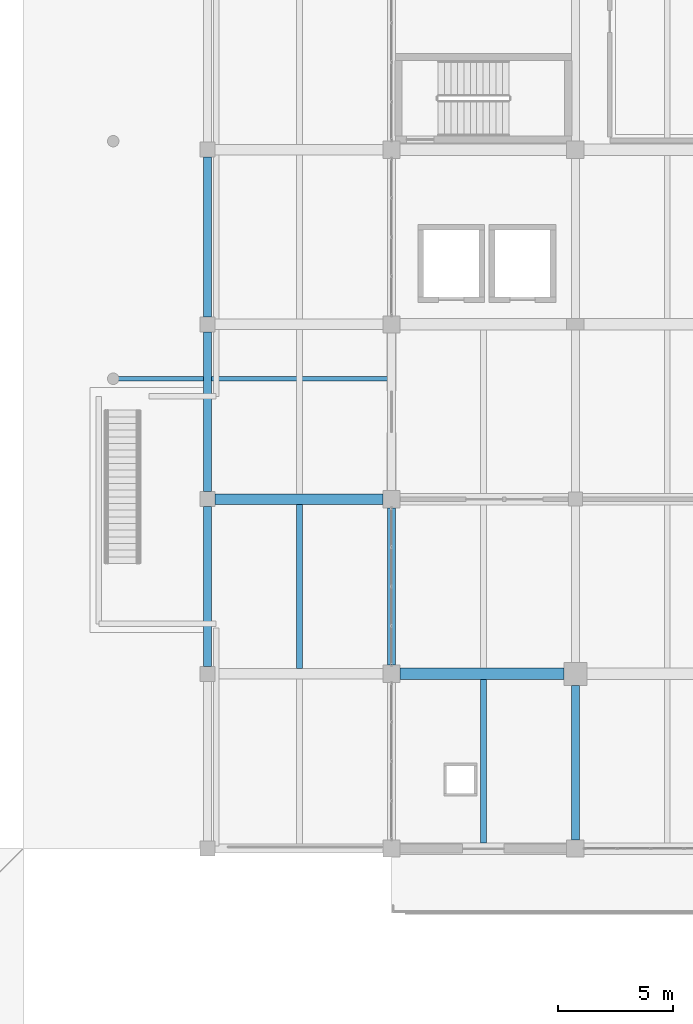
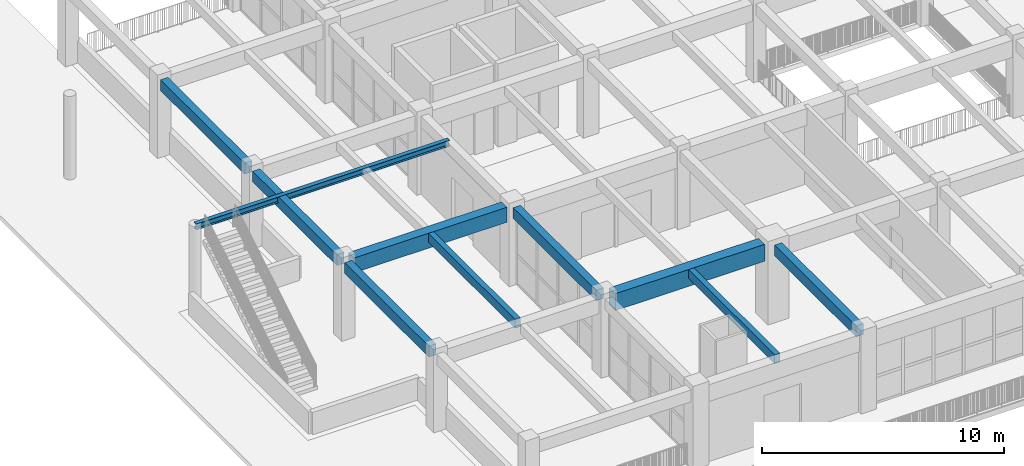
# One storey, part 6 of 63: 10 beams.
"""IFC4 building model written with IfcOpenShell, lengths in metres."""

from ifc_helpers import new_model, si_unit, direction, frame, origin, origin_2d, place, context, subcontext, project, spatial, rectangle, i_section, extrude, material, material_profile, profile_set, type_object, element, save


model = new_model("IFC4")

# Units and contexts
model_context = context("Model", 3, precision=1e-05, world=origin(), true_north=direction((0.0, 1.0)))
body_context = subcontext(model_context, "Body", "Model", "MODEL_VIEW")
ifc_project = project(units=[si_unit("LENGTHUNIT", "METRE"), si_unit("AREAUNIT", "SQUARE_METRE"), si_unit("VOLUMEUNIT", "CUBIC_METRE"), si_unit("PLANEANGLEUNIT", "RADIAN"), si_unit("MASSUNIT", "GRAM", prefix="KILO")], contexts=[model_context])

# Site, building, storey
site_placement = place(None, origin())
site = spatial("IfcSite", under=ifc_project, at=site_placement, CompositionType="ELEMENT")
building_placement = place(site_placement, origin())
building = spatial("IfcBuilding", under=site, at=building_placement, Name="Zantavel Square City Hall", CompositionType="ELEMENT")
storey_placement = place(building_placement, frame((0.0, 0.0, 14.699951171875)))
storey = spatial("IfcBuildingStorey", under=building, at=storey_placement, Name="L04", CompositionType="ELEMENT", Elevation=14.699951171875)

# Beams
ifc_material_1 = material(Name="Concrete C40/50", Category="concrete")
ifc_material_profile_1 = material_profile(ifc_material_1, rectangle(XDim=0.5, YDim=0.85009765625, at=origin_2d()), Name="RC 500x850")
ifc_profile_set_1 = profile_set([ifc_material_profile_1], Name="Concrete C40/50")
beam_type_1 = type_object("IfcBeamType", Name="Council Chamber Girder RC 500x850 C40/50", PredefinedType="BEAM", material=ifc_profile_set_1)
beam_1_placement = place(storey_placement, frame((64.375, 38.0, 3.4951171875), z_axis=(1.0, 0.0, 0.0), x_axis=(0.0, 1.0, 0.0)))
element("IfcBeam", 1, at=beam_1_placement, inside=storey, type_object=beam_type_1, Name="L04 Girder BMX-L04-0640-0380", PredefinedType="BEAM", context=body_context, shape_type="SweptSolid", body=[
    extrude(rectangle(XDim=0.5, YDim=0.85009765625, at=origin_2d()), origin(), (0.0, 0.0, 1.0), 7.125),
])
ifc_material_2 = material(Name="Concrete C35/45", Category="concrete")
ifc_material_profile_2 = material_profile(ifc_material_2, rectangle(XDim=0.25, YDim=0.449951171875, at=origin_2d()), Name="RC 250x450")
ifc_profile_set_2 = profile_set([ifc_material_profile_2], Name="Concrete C35/45")
beam_type_2 = type_object("IfcBeamType", Name="Light Floor Joist RC 250x450 C35/45", PredefinedType="JOIST", material=ifc_profile_set_2)
beam_2_placement = place(storey_placement, frame((60.0, 38.22509765625, 3.695068359375), z_axis=(0.0, 1.0, 0.0), x_axis=(-1.0, 0.0, 0.0)))
element("IfcBeam", 2, at=beam_2_placement, inside=storey, type_object=beam_type_2, Name="L04 Floor Joist JST-L04-0600-0380", PredefinedType="JOIST", context=body_context, shape_type="SweptSolid", body=[
    extrude(rectangle(XDim=0.25, YDim=0.449951171875, at=origin_2d()), origin(), (0.0, 0.0, 1.0), 7.14990234375),
])
beam_3_placement = place(storey_placement, frame((68.0, 30.64990234375, 3.695068359375), z_axis=(0.0, 1.0, 0.0), x_axis=(-1.0, 0.0, 0.0)))
element("IfcBeam", 3, at=beam_3_placement, inside=storey, type_object=beam_type_2, Name="L04 Floor Joist JST-L04-0680-0304", PredefinedType="JOIST", context=body_context, shape_type="SweptSolid", body=[
    extrude(rectangle(XDim=0.25, YDim=0.449951171875, at=origin_2d()), origin(), (0.0, 0.0, 1.0), 7.10009765625),
])
ifc_material_profile_3 = material_profile(ifc_material_2, rectangle(XDim=0.449951171875, YDim=0.75, at=origin_2d()), Name="RC 450x750")
ifc_profile_set_3 = profile_set([ifc_material_profile_3], Name="Concrete C35/45")
beam_type_3 = type_object("IfcBeamType", Name="Primary Girder RC 450x750 C35/45", PredefinedType="BEAM", material=ifc_profile_set_3)
beam_4_placement = place(storey_placement, frame((56.324951171875, 45.60009765625, 3.545166015625), z_axis=(1.0, 0.0, 0.0), x_axis=(0.0, 1.0, 0.0)))
element("IfcBeam", 4, at=beam_4_placement, inside=storey, type_object=beam_type_3, Name="L04 Girder BMX-L04-0560-0456", PredefinedType="BEAM", context=body_context, shape_type="SweptSolid", body=[
    extrude(rectangle(XDim=0.449951171875, YDim=0.75, at=origin_2d()), origin(), (0.0, 0.0, 1.0), 7.300048828125),
])
ifc_material_profile_4 = material_profile(ifc_material_2, rectangle(XDim=0.35009765625, YDim=0.550048828125, at=origin_2d()), Name="RC 350x550")
ifc_profile_set_4 = profile_set([ifc_material_profile_4], Name="Concrete C35/45")
beam_type_4 = type_object("IfcBeamType", Name="Secondary Beam RC 350x550 C35/45", PredefinedType="BEAM", material=ifc_profile_set_4)
for number, where, z_axis, x_axis, name in (
    (5, (56.0, 38.324951171875, 3.64501953125), (0.0, 1.0, 0.0), (-1.0, 0.0, 0.0), "L04 Beam BMY-L04-0560-0380"),
    (6, (56.0, 45.925048828125, 3.64501953125), (0.0, 1.0, 0.0), (-1.0, 0.0, 0.0), "L04 Beam BMY-L04-0560-0456"),
):
    element("IfcBeam", number, at=place(storey_placement, frame(where, z_axis=z_axis, x_axis=x_axis)), inside=storey, type_object=beam_type_4, Name=name, PredefinedType="BEAM", context=body_context, shape_type="SweptSolid", body=[
        extrude(rectangle(XDim=0.35009765625, YDim=0.550048828125, at=origin_2d()), origin(), (0.0, 0.0, 1.0), 6.949951171875),
    ])
beam_5_placement = place(storey_placement, frame((56.0, 53.52490234375, 3.64501953125), z_axis=(0.0, 1.0, 0.0), x_axis=(-1.0, 0.0, 0.0)))
element("IfcBeam", 7, at=beam_5_placement, inside=storey, type_object=beam_type_4, Name="L04 Beam BMY-L04-0560-0532", PredefinedType="BEAM", context=body_context, shape_type="SweptSolid", body=[
    extrude(rectangle(XDim=0.35009765625, YDim=0.550048828125, at=origin_2d()), origin(), (0.0, 0.0, 1.0), 6.9501953125),
])
beam_6_placement = place(storey_placement, frame((64.0, 38.375, 3.64501953125), z_axis=(0.0, 1.0, 0.0), x_axis=(-1.0, 0.0, 0.0)))
element("IfcBeam", 8, at=beam_6_placement, inside=storey, type_object=beam_type_4, Name="L04 Beam BMY-L04-0640-0380", PredefinedType="BEAM", context=body_context, shape_type="SweptSolid", body=[
    extrude(rectangle(XDim=0.35009765625, YDim=0.550048828125, at=origin_2d()), origin(), (0.0, 0.0, 1.0), 6.85009765625),
])
beam_7_placement = place(storey_placement, frame((72.0, 30.77490234375, 3.64501953125), z_axis=(0.0, 1.0, 0.0), x_axis=(-1.0, 0.0, 0.0)))
element("IfcBeam", 9, at=beam_7_placement, inside=storey, type_object=beam_type_4, Name="L04 Beam BMY-L04-0720-0304", PredefinedType="BEAM", context=body_context, shape_type="SweptSolid", body=[
    extrude(rectangle(XDim=0.35009765625, YDim=0.550048828125, at=origin_2d()), origin(), (0.0, 0.0, 1.0), 6.72509765625),
])
ifc_material_3 = material(Name="Steel ASTM A992 Grade 50", Category="steel")
ifc_material_profile_5 = material_profile(ifc_material_3, i_section(OverallWidth=0.202880859375, OverallDepth=0.302978515625, WebThickness=0.007568359375, FlangeThickness=0.01318359375, at=origin_2d()), Name="W310x60")
ifc_profile_set_5 = profile_set([ifc_material_profile_5], Name="Steel ASTM A992 Grade 50")
beam_type_5 = type_object("IfcBeamType", Name="Tray Edge Steel Beam W310x60", PredefinedType="BEAM", material=ifc_profile_set_5)
beam_8_placement = place(storey_placement, frame((64.0, 50.8349609375, 3.771484375), z_axis=(-1.0, 0.0, 0.0), x_axis=(0.0, -1.0, 0.0)))
element("IfcBeam", 10, at=beam_8_placement, inside=storey, type_object=beam_type_5, Name="ST-TR5 L05 Landing Support Beam", PredefinedType="BEAM", context=body_context, shape_type="SweptSolid", body=[
    extrude(i_section(OverallWidth=0.202880859375, OverallDepth=0.302978515625, WebThickness=0.007568359375, FlangeThickness=0.01318359375, at=origin_2d()), origin(), (0.0, 0.0, 1.0), 12.10009765625),
])

save(model, "model.ifc")
